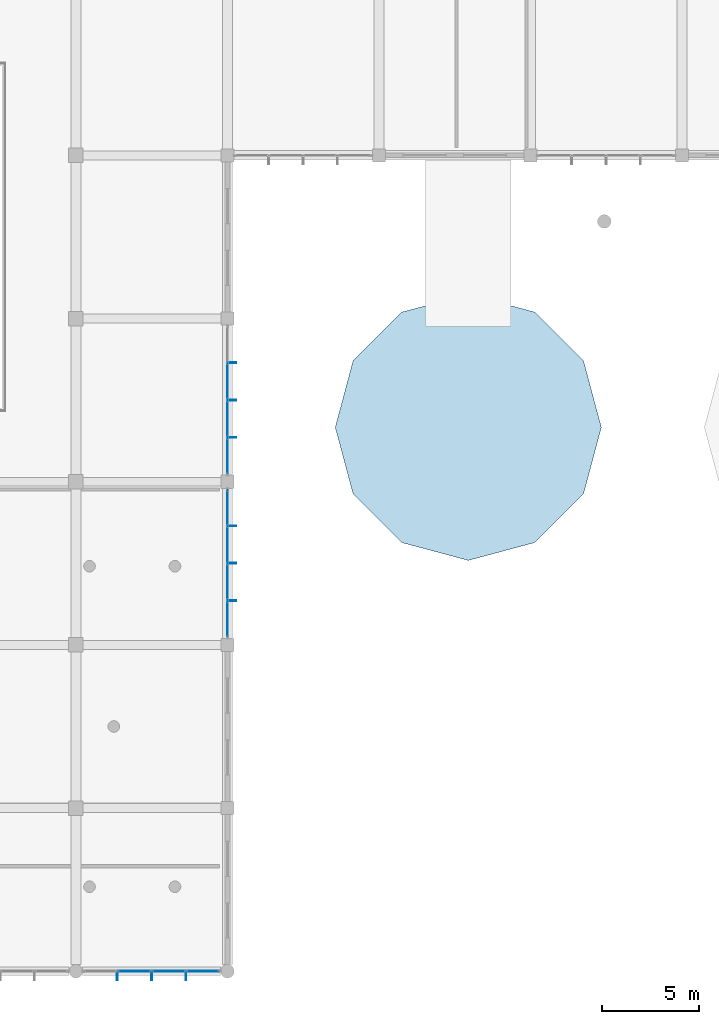
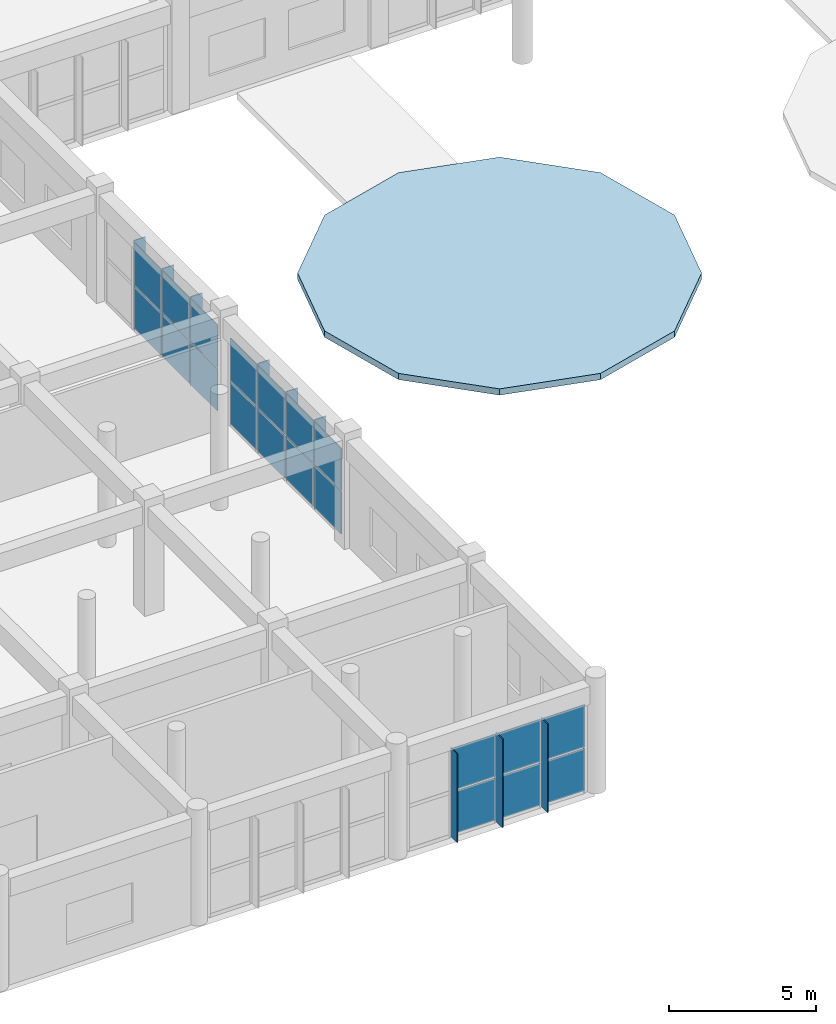
# One storey, part 146 of 175: 29 plates, 1 slab, 3 elements without a shape of their own.
"""IFC4 building model written with IfcOpenShell, lengths in metres."""

from ifc_helpers import new_model, si_unit, direction, frame, origin, origin_2d, place, context, subcontext, project, spatial, polyline, rectangle, outline, extrude, material, layer, layer_set, type_object, element, aggregate, save


model = new_model("IFC4")

# Units and contexts
model_context = context("Model", 3, precision=1e-05, world=origin(), true_north=direction((0.0, 1.0)))
body_context = subcontext(model_context, "Body", "Model", "MODEL_VIEW")
ifc_project = project(units=[si_unit("LENGTHUNIT", "METRE"), si_unit("AREAUNIT", "SQUARE_METRE"), si_unit("VOLUMEUNIT", "CUBIC_METRE"), si_unit("PLANEANGLEUNIT", "RADIAN"), si_unit("MASSUNIT", "GRAM", prefix="KILO")], contexts=[model_context])

# Site, building, storey
site_placement = place(None, origin())
site = spatial("IfcSite", under=ifc_project, at=site_placement, CompositionType="ELEMENT")
building_placement = place(site_placement, origin())
building = spatial("IfcBuilding", under=site, at=building_placement, Name="Zizhar Promenade General Hospital", CompositionType="ELEMENT")
storey_placement = place(building_placement, frame((0.0, 0.0, 4.800048828125)))
storey = spatial("IfcBuildingStorey", under=building, at=storey_placement, Name="L01", CompositionType="ELEMENT", Elevation=4.800048828125)

# Curtain wall, plates
ifc_material_1 = material(Name="Anodised aluminium 6063-T6 and low-E glass", Category="aluminium")
ifc_layer_1 = layer(ifc_material_1, 0.159912109375)
ifc_layer_set_1 = layer_set([ifc_layer_1], Name="Anodised aluminium 6063-T6 and low-E glass")
curtain_wall_type_1 = type_object("IfcCurtainWallType", Name="CW-DT-MOD1", PredefinedType="NOTDEFINED", material=ifc_layer_set_1)
curtain_wall_1_placement = place(storey_placement, origin())
curtain_wall_1 = element("IfcCurtainWall", 1, at=curtain_wall_1_placement, inside=storey, type_object=curtain_wall_type_1, Name="Riverfront Clinical Curtain Wall L01-15", PredefinedType="NOTDEFINED")
ifc_material_2 = material(Name="Low-E solar-control glass", Category="glass")
ifc_layer_2 = layer(ifc_material_2, 0.031982421875)
ifc_layer_set_2 = layer_set([ifc_layer_2], Name="Low-E solar-control glass")
plate_type_1 = type_object("IfcPlateType", Name="CWP-GLZ-32", PredefinedType="CURTAIN_PANEL", material=ifc_layer_set_2)
plate_1_placement = place(storey_placement, frame((131.3349609375, 0.0, 0.06005859375), z_axis=(0.0, 0.0, 1.0), x_axis=(-1.0, 0.0, 0.0)))
plate_1 = element("IfcPlate", 2, at=plate_1_placement, type_object=plate_type_1, Name="CW-07 panel 1.1", PredefinedType="CURTAIN_PANEL", context=body_context, shape_type="SweptSolid", body=[
    extrude(rectangle(XDim=1.64990234375, YDim=0.031982421875, at=origin_2d()), origin(), (0.0, 0.0, 1.0), 1.75),
])
plate_2_placement = place(storey_placement, frame((131.3349609375, 0.0, 1.869873046875), z_axis=(0.0, 0.0, 1.0), x_axis=(-1.0, 0.0, 0.0)))
plate_2 = element("IfcPlate", 3, at=plate_2_placement, type_object=plate_type_1, Name="CW-07 panel 1.2", PredefinedType="CURTAIN_PANEL", context=body_context, shape_type="SweptSolid", body=[
    extrude(rectangle(XDim=1.64990234375, YDim=0.031982421875, at=origin_2d()), origin(), (0.0, 0.0, 1.0), 1.75),
])
plate_3_placement = place(storey_placement, frame((129.5849609375, 0.0, 0.06005859375), z_axis=(0.0, 0.0, 1.0), x_axis=(-1.0, 0.0, 0.0)))
plate_3 = element("IfcPlate", 4, at=plate_3_placement, type_object=plate_type_1, Name="CW-07 panel 2.1", PredefinedType="CURTAIN_PANEL", context=body_context, shape_type="SweptSolid", body=[
    extrude(rectangle(XDim=1.68994140625, YDim=0.031982421875, at=origin_2d()), origin(), (0.0, 0.0, 1.0), 1.75),
])
plate_4_placement = place(storey_placement, frame((129.5849609375, 0.0, 1.869873046875), z_axis=(0.0, 0.0, 1.0), x_axis=(-1.0, 0.0, 0.0)))
plate_4 = element("IfcPlate", 5, at=plate_4_placement, type_object=plate_type_1, Name="CW-07 panel 2.2", PredefinedType="CURTAIN_PANEL", context=body_context, shape_type="SweptSolid", body=[
    extrude(rectangle(XDim=1.68994140625, YDim=0.031982421875, at=origin_2d()), origin(), (0.0, 0.0, 1.0), 1.75),
])
plate_5_placement = place(storey_placement, frame((127.81494140625, 0.0, 0.06005859375), z_axis=(0.0, 0.0, 1.0), x_axis=(-1.0, 0.0, 0.0)))
plate_5 = element("IfcPlate", 6, at=plate_5_placement, type_object=plate_type_1, Name="CW-07 panel 3.1", PredefinedType="CURTAIN_PANEL", context=body_context, shape_type="SweptSolid", body=[
    extrude(rectangle(XDim=1.68994140625, YDim=0.031982421875, at=origin_2d()), origin(), (0.0, 0.0, 1.0), 1.75),
])
plate_6_placement = place(storey_placement, frame((127.81494140625, 0.0, 1.869873046875), z_axis=(0.0, 0.0, 1.0), x_axis=(-1.0, 0.0, 0.0)))
plate_6 = element("IfcPlate", 7, at=plate_6_placement, type_object=plate_type_1, Name="CW-07 panel 3.2", PredefinedType="CURTAIN_PANEL", context=body_context, shape_type="SweptSolid", body=[
    extrude(rectangle(XDim=1.68994140625, YDim=0.031982421875, at=origin_2d()), origin(), (0.0, 0.0, 1.0), 1.75),
])
aggregate(curtain_wall_1, [plate_1, plate_2, plate_3, plate_4, plate_5, plate_6])

ifc_material_3 = material(Name="Anodised aluminium 6063-T6 and low-E glass", Category="aluminium")
ifc_layer_3 = layer(ifc_material_3, 0.159912109375)
ifc_layer_set_3 = layer_set([ifc_layer_3], Name="Anodised aluminium 6063-T6 and low-E glass")
curtain_wall_type_2 = type_object("IfcCurtainWallType", Name="CW-HALL-S", PredefinedType="NOTDEFINED", material=ifc_layer_set_3)
curtain_wall_2_placement = place(storey_placement, origin())
curtain_wall_2 = element("IfcCurtainWall", 8, at=curtain_wall_2_placement, inside=storey, type_object=curtain_wall_type_2, Name="Forecourt Arrival Glazed Curtain Wall L01-2", PredefinedType="NOTDEFINED")
plate_7_placement = place(storey_placement, frame((132.60009765625, 23.860107421875, 0.06005859375), z_axis=(0.0, 0.0, 1.0), x_axis=(0.0, -1.0, 0.0)))
plate_7 = element("IfcPlate", 9, at=plate_7_placement, type_object=plate_type_1, Name="CW-01 panel 1.1", PredefinedType="CURTAIN_PANEL", context=body_context, shape_type="SweptSolid", body=[
    extrude(rectangle(XDim=1.800048828125, YDim=0.031982421875, at=origin_2d()), origin(), (0.0, 0.0, 1.0), 1.75),
])
plate_8_placement = place(storey_placement, frame((132.60009765625, 23.860107421875, 1.869873046875), z_axis=(0.0, 0.0, 1.0), x_axis=(0.0, -1.0, 0.0)))
plate_8 = element("IfcPlate", 10, at=plate_8_placement, type_object=plate_type_1, Name="CW-01 panel 1.2", PredefinedType="CURTAIN_PANEL", context=body_context, shape_type="SweptSolid", body=[
    extrude(rectangle(XDim=1.800048828125, YDim=0.031982421875, at=origin_2d()), origin(), (0.0, 0.0, 1.0), 1.75),
])
plate_9_placement = place(storey_placement, frame((132.60009765625, 21.9599609375, 0.06005859375), z_axis=(0.0, 0.0, 1.0), x_axis=(0.0, -1.0, 0.0)))
plate_9 = element("IfcPlate", 11, at=plate_9_placement, type_object=plate_type_1, Name="CW-01 panel 2.1", PredefinedType="CURTAIN_PANEL", context=body_context, shape_type="SweptSolid", body=[
    extrude(rectangle(XDim=1.840087890625, YDim=0.031982421875, at=origin_2d()), origin(), (0.0, 0.0, 1.0), 1.75),
])
plate_10_placement = place(storey_placement, frame((132.60009765625, 21.9599609375, 1.869873046875), z_axis=(0.0, 0.0, 1.0), x_axis=(0.0, -1.0, 0.0)))
plate_10 = element("IfcPlate", 12, at=plate_10_placement, type_object=plate_type_1, Name="CW-01 panel 2.2", PredefinedType="CURTAIN_PANEL", context=body_context, shape_type="SweptSolid", body=[
    extrude(rectangle(XDim=1.840087890625, YDim=0.031982421875, at=origin_2d()), origin(), (0.0, 0.0, 1.0), 1.75),
])
plate_11_placement = place(storey_placement, frame((132.60009765625, 20.0400390625, 0.06005859375), z_axis=(0.0, 0.0, 1.0), x_axis=(0.0, -1.0, 0.0)))
plate_11 = element("IfcPlate", 13, at=plate_11_placement, type_object=plate_type_1, Name="CW-01 panel 3.1", PredefinedType="CURTAIN_PANEL", context=body_context, shape_type="SweptSolid", body=[
    extrude(rectangle(XDim=1.840087890625, YDim=0.031982421875, at=origin_2d()), origin(), (0.0, 0.0, 1.0), 1.75),
])
plate_12_placement = place(storey_placement, frame((132.60009765625, 20.0400390625, 1.869873046875), z_axis=(0.0, 0.0, 1.0), x_axis=(0.0, -1.0, 0.0)))
plate_12 = element("IfcPlate", 14, at=plate_12_placement, type_object=plate_type_1, Name="CW-01 panel 3.2", PredefinedType="CURTAIN_PANEL", context=body_context, shape_type="SweptSolid", body=[
    extrude(rectangle(XDim=1.840087890625, YDim=0.031982421875, at=origin_2d()), origin(), (0.0, 0.0, 1.0), 1.75),
])
plate_13_placement = place(storey_placement, frame((132.60009765625, 18.139892578125, 0.06005859375), z_axis=(0.0, 0.0, 1.0), x_axis=(0.0, -1.0, 0.0)))
plate_13 = element("IfcPlate", 15, at=plate_13_placement, type_object=plate_type_1, Name="CW-01 panel 4.1", PredefinedType="CURTAIN_PANEL", context=body_context, shape_type="SweptSolid", body=[
    extrude(rectangle(XDim=1.800048828125, YDim=0.031982421875, at=origin_2d()), origin(), (0.0, 0.0, 1.0), 1.75),
])
plate_14_placement = place(storey_placement, frame((132.60009765625, 18.139892578125, 1.869873046875), z_axis=(0.0, 0.0, 1.0), x_axis=(0.0, -1.0, 0.0)))
plate_14 = element("IfcPlate", 16, at=plate_14_placement, type_object=plate_type_1, Name="CW-01 panel 4.2", PredefinedType="CURTAIN_PANEL", context=body_context, shape_type="SweptSolid", body=[
    extrude(rectangle(XDim=1.800048828125, YDim=0.031982421875, at=origin_2d()), origin(), (0.0, 0.0, 1.0), 1.75),
])
aggregate(curtain_wall_2, [plate_7, plate_8, plate_9, plate_10, plate_11, plate_12, plate_13, plate_14])

curtain_wall_3_placement = place(storey_placement, origin())
curtain_wall_3 = element("IfcCurtainWall", 17, at=curtain_wall_3_placement, inside=storey, type_object=curtain_wall_type_2, Name="Forecourt Arrival Glazed Curtain Wall L01-3", PredefinedType="NOTDEFINED")
plate_15_placement = place(storey_placement, frame((132.60009765625, 30.360107421875, 0.06005859375), z_axis=(0.0, 0.0, 1.0), x_axis=(0.0, -1.0, 0.0)))
plate_15 = element("IfcPlate", 18, at=plate_15_placement, type_object=plate_type_1, Name="CW-01 panel 2.1", PredefinedType="CURTAIN_PANEL", context=body_context, shape_type="SweptSolid", body=[
    extrude(rectangle(XDim=1.840087890625, YDim=0.031982421875, at=origin_2d()), origin(), (0.0, 0.0, 1.0), 1.75),
])
plate_16_placement = place(storey_placement, frame((132.60009765625, 30.360107421875, 1.869873046875), z_axis=(0.0, 0.0, 1.0), x_axis=(0.0, -1.0, 0.0)))
plate_16 = element("IfcPlate", 19, at=plate_16_placement, type_object=plate_type_1, Name="CW-01 panel 2.2", PredefinedType="CURTAIN_PANEL", context=body_context, shape_type="SweptSolid", body=[
    extrude(rectangle(XDim=1.840087890625, YDim=0.031982421875, at=origin_2d()), origin(), (0.0, 0.0, 1.0), 1.75),
])
plate_17_placement = place(storey_placement, frame((132.60009765625, 28.43994140625, 0.06005859375), z_axis=(0.0, 0.0, 1.0), x_axis=(0.0, -1.0, 0.0)))
plate_17 = element("IfcPlate", 20, at=plate_17_placement, type_object=plate_type_1, Name="CW-01 panel 3.1", PredefinedType="CURTAIN_PANEL", context=body_context, shape_type="SweptSolid", body=[
    extrude(rectangle(XDim=1.840087890625, YDim=0.031982421875, at=origin_2d()), origin(), (0.0, 0.0, 1.0), 1.75),
])
plate_18_placement = place(storey_placement, frame((132.60009765625, 28.43994140625, 1.869873046875), z_axis=(0.0, 0.0, 1.0), x_axis=(0.0, -1.0, 0.0)))
plate_18 = element("IfcPlate", 21, at=plate_18_placement, type_object=plate_type_1, Name="CW-01 panel 3.2", PredefinedType="CURTAIN_PANEL", context=body_context, shape_type="SweptSolid", body=[
    extrude(rectangle(XDim=1.840087890625, YDim=0.031982421875, at=origin_2d()), origin(), (0.0, 0.0, 1.0), 1.75),
])
plate_19_placement = place(storey_placement, frame((132.60009765625, 26.5400390625, 0.06005859375), z_axis=(0.0, 0.0, 1.0), x_axis=(0.0, -1.0, 0.0)))
plate_19 = element("IfcPlate", 22, at=plate_19_placement, type_object=plate_type_1, Name="CW-01 panel 4.1", PredefinedType="CURTAIN_PANEL", context=body_context, shape_type="SweptSolid", body=[
    extrude(rectangle(XDim=1.800048828125, YDim=0.031982421875, at=origin_2d()), origin(), (0.0, 0.0, 1.0), 1.75),
])
plate_20_placement = place(storey_placement, frame((132.60009765625, 26.5400390625, 1.869873046875), z_axis=(0.0, 0.0, 1.0), x_axis=(0.0, -1.0, 0.0)))
plate_20 = element("IfcPlate", 23, at=plate_20_placement, type_object=plate_type_1, Name="CW-01 panel 4.2", PredefinedType="CURTAIN_PANEL", context=body_context, shape_type="SweptSolid", body=[
    extrude(rectangle(XDim=1.800048828125, YDim=0.031982421875, at=origin_2d()), origin(), (0.0, 0.0, 1.0), 1.75),
])
aggregate(curtain_wall_3, [plate_15, plate_16, plate_17, plate_18, plate_19, plate_20])

# Plates
ifc_material_4 = material(Name="Anodised aluminium 6063-T6", Category="aluminium")
ifc_layer_4 = layer(ifc_material_4, 0.0400390625)
ifc_layer_set_4 = layer_set([ifc_layer_4], Name="Anodised aluminium 6063-T6")
plate_type_2 = type_object("IfcPlateType", Name="FIN-ALU-450", PredefinedType="USERDEFINED", material=ifc_layer_set_4)
plate_21_placement = place(storey_placement, origin())
element("IfcPlate", 24, at=plate_21_placement, inside=storey, type_object=plate_type_2, Name="Riverfront Clinical Curtain Wall L01-15 Solar Fin 1", ObjectType="SOLAR_SHADE", PredefinedType="USERDEFINED", context=body_context, shape_type="SweptSolid", body=[
    extrude(outline(polyline([(130.489990234375, 0.0), (130.449951171875, 0.0), (130.449951171875, -0.449951171875), (130.489990234375, -0.449951171875), (130.489990234375, 0.0)])), origin(), (0.0, 0.0, 1.0), 3.679931640625),
])
plate_22_placement = place(storey_placement, origin())
element("IfcPlate", 25, at=plate_22_placement, inside=storey, type_object=plate_type_2, Name="Riverfront Clinical Curtain Wall L01-15 Solar Fin 2", ObjectType="SOLAR_SHADE", PredefinedType="USERDEFINED", context=body_context, shape_type="SweptSolid", body=[
    extrude(outline(polyline([(128.719970703125, 0.0), (128.679931640625, 0.0), (128.679931640625, -0.449951171875), (128.719970703125, -0.449951171875), (128.719970703125, 0.0)])), origin(), (0.0, 0.0, 1.0), 3.679931640625),
])
plate_23_placement = place(storey_placement, origin())
element("IfcPlate", 26, at=plate_23_placement, inside=storey, type_object=plate_type_2, Name="Riverfront Clinical Curtain Wall L01-15 Solar Fin 3", ObjectType="SOLAR_SHADE", PredefinedType="USERDEFINED", context=body_context, shape_type="SweptSolid", body=[
    extrude(outline(polyline([(126.949951171875, 0.0), (126.909912109375, 0.0), (126.909912109375, -0.449951171875), (126.949951171875, -0.449951171875), (126.949951171875, 0.0)])), origin(), (0.0, 0.0, 1.0), 3.679931640625),
])
plate_24_placement = place(storey_placement, origin())
element("IfcPlate", 27, at=plate_24_placement, inside=storey, type_object=plate_type_2, Name="Forecourt Arrival Glazed Curtain Wall L01-2 Solar Fin 1", ObjectType="SOLAR_SHADE", PredefinedType="USERDEFINED", context=body_context, shape_type="SweptSolid", body=[
    extrude(outline(polyline([(132.60009765625, 22.93994140625), (132.60009765625, 22.89990234375), (133.050048828125, 22.89990234375), (133.050048828125, 22.93994140625), (132.60009765625, 22.93994140625)])), origin(), (0.0, 0.0, 1.0), 3.679931640625),
])
plate_25_placement = place(storey_placement, origin())
element("IfcPlate", 28, at=plate_25_placement, inside=storey, type_object=plate_type_2, Name="Forecourt Arrival Glazed Curtain Wall L01-2 Solar Fin 2", ObjectType="SOLAR_SHADE", PredefinedType="USERDEFINED", context=body_context, shape_type="SweptSolid", body=[
    extrude(outline(polyline([(132.60009765625, 21.02001953125), (132.60009765625, 20.97998046875), (133.050048828125, 20.97998046875), (133.050048828125, 21.02001953125), (132.60009765625, 21.02001953125)])), origin(), (0.0, 0.0, 1.0), 3.679931640625),
])
plate_26_placement = place(storey_placement, origin())
element("IfcPlate", 29, at=plate_26_placement, inside=storey, type_object=plate_type_2, Name="Forecourt Arrival Glazed Curtain Wall L01-2 Solar Fin 3", ObjectType="SOLAR_SHADE", PredefinedType="USERDEFINED", context=body_context, shape_type="SweptSolid", body=[
    extrude(outline(polyline([(132.60009765625, 19.10009765625), (132.60009765625, 19.06005859375), (133.050048828125, 19.06005859375), (133.050048828125, 19.10009765625), (132.60009765625, 19.10009765625)])), origin(), (0.0, 0.0, 1.0), 3.679931640625),
])
plate_27_placement = place(storey_placement, origin())
element("IfcPlate", 30, at=plate_27_placement, inside=storey, type_object=plate_type_2, Name="Forecourt Arrival Glazed Curtain Wall L01-3 Solar Fin 1", ObjectType="SOLAR_SHADE", PredefinedType="USERDEFINED", context=body_context, shape_type="SweptSolid", body=[
    extrude(outline(polyline([(132.60009765625, 31.340087890625), (132.60009765625, 31.300048828125), (133.050048828125, 31.300048828125), (133.050048828125, 31.340087890625), (132.60009765625, 31.340087890625)])), origin(), (0.0, 0.0, 1.0), 3.679931640625),
])
plate_28_placement = place(storey_placement, origin())
element("IfcPlate", 31, at=plate_28_placement, inside=storey, type_object=plate_type_2, Name="Forecourt Arrival Glazed Curtain Wall L01-3 Solar Fin 2", ObjectType="SOLAR_SHADE", PredefinedType="USERDEFINED", context=body_context, shape_type="SweptSolid", body=[
    extrude(outline(polyline([(132.60009765625, 29.419921875), (132.60009765625, 29.3798828125), (133.050048828125, 29.3798828125), (133.050048828125, 29.419921875), (132.60009765625, 29.419921875)])), origin(), (0.0, 0.0, 1.0), 3.679931640625),
])
plate_29_placement = place(storey_placement, origin())
element("IfcPlate", 32, at=plate_29_placement, inside=storey, type_object=plate_type_2, Name="Forecourt Arrival Glazed Curtain Wall L01-3 Solar Fin 3", ObjectType="SOLAR_SHADE", PredefinedType="USERDEFINED", context=body_context, shape_type="SweptSolid", body=[
    extrude(outline(polyline([(132.60009765625, 27.5), (132.60009765625, 27.4599609375), (133.050048828125, 27.4599609375), (133.050048828125, 27.5), (132.60009765625, 27.5)])), origin(), (0.0, 0.0, 1.0), 3.679931640625),
])

# Slab
ifc_material_5 = material(Name="Concrete C35/45", Category="concrete")
ifc_layer_5 = layer(ifc_material_5, 0.260009765625)
ifc_layer_set_5 = layer_set([ifc_layer_5], Name="Concrete C35/45")
slab_type = type_object("IfcSlabType", Name="SLB-ROOF-260", PredefinedType="ROOF", material=ifc_layer_set_5)
slab_placement = place(storey_placement, frame((0.0, 0.0, -0.260009765625)))
element("IfcSlab", 33, at=slab_placement, inside=storey, type_object=slab_type, Name="Outpatient Welcome Pavilion Overhanging Circular Roof Slab", PredefinedType="ROOF", context=body_context, shape_type="SweptSolid", body=[
    extrude(outline(polyline([(151.85009765625, 28.0), (150.932373046875, 31.425048828125), (148.425048828125, 33.932373046875), (145.0, 34.85009765625), (141.574951171875, 33.932373046875), (139.067626953125, 31.425048828125), (138.14990234375, 28.0), (139.067626953125, 24.574951171875), (141.574951171875, 22.067626953125), (145.0, 21.14990234375), (148.425048828125, 22.067626953125), (150.932373046875, 24.574951171875), (151.85009765625, 28.0)])), origin(), (0.0, 0.0, 1.0), 0.260009765625),
])

save(model, "model.ifc")
